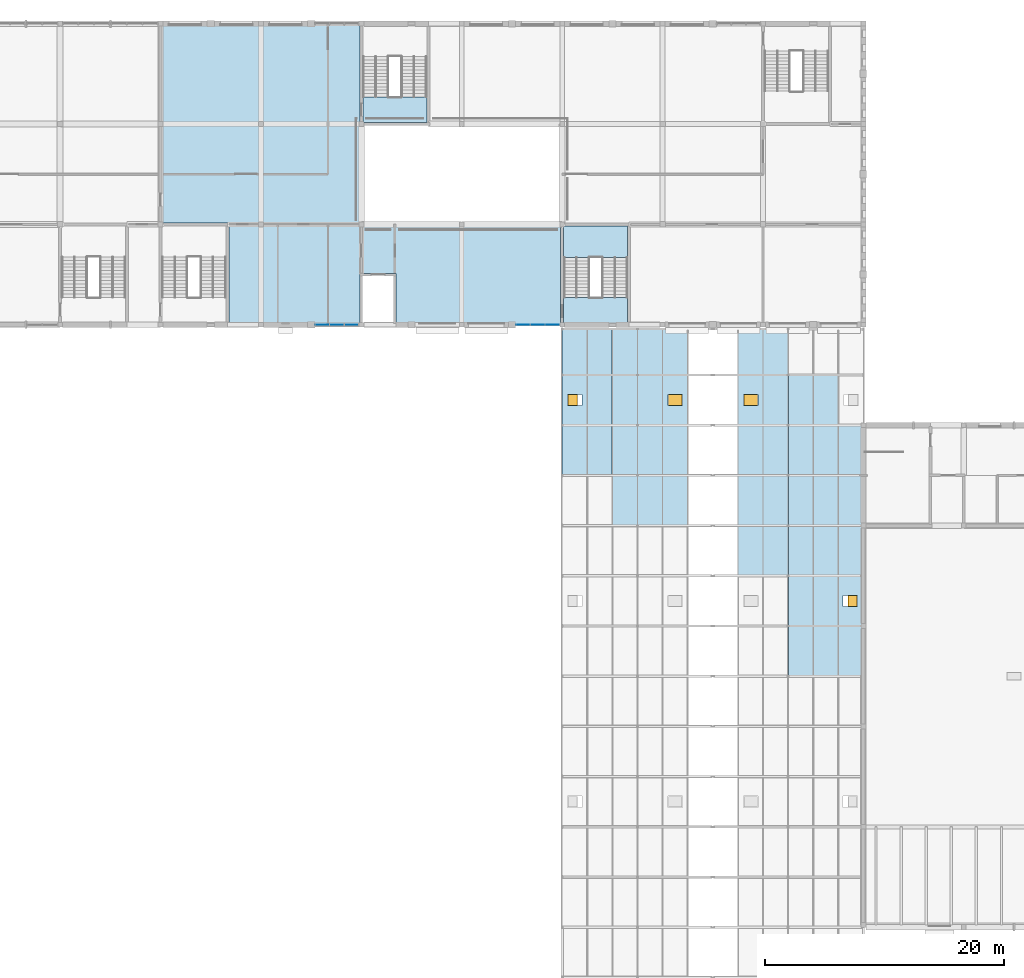
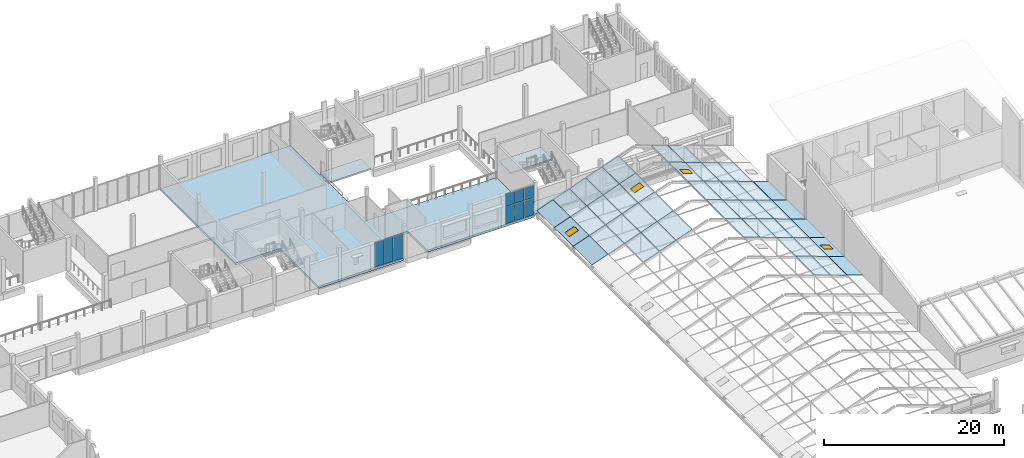
# One storey, part 88 of 116: 49 slabs, 9 plates, 4 windows, 4 openings, 4 elements without a shape of their own.
"""IFC4 building model written with IfcOpenShell, lengths in metres."""

from ifc_helpers import new_model, si_unit, direction, frame, origin, origin_2d, place, context, subcontext, project, spatial, polyline, rectangle, outline, extrude, material, layer, layer_set, type_object, element, fill, aggregate, save


model = new_model("IFC4")

# Units and contexts
model_context = context("Model", 3, precision=1e-05, world=origin(), true_north=direction((0.0, 1.0)))
body_context = subcontext(model_context, "Body", "Model", "MODEL_VIEW")
ifc_project = project(units=[si_unit("LENGTHUNIT", "METRE"), si_unit("AREAUNIT", "SQUARE_METRE"), si_unit("VOLUMEUNIT", "CUBIC_METRE"), si_unit("PLANEANGLEUNIT", "RADIAN"), si_unit("MASSUNIT", "GRAM", prefix="KILO")], contexts=[model_context])

# Site, building, storey
site_placement = place(None, origin())
site = spatial("IfcSite", under=ifc_project, at=site_placement, CompositionType="ELEMENT")
building_placement = place(site_placement, origin())
building = spatial("IfcBuilding", under=site, at=building_placement, Name="Fescue Hill Polytechnic", CompositionType="ELEMENT")
storey_placement = place(building_placement, frame((0.0, 0.0, 13.5)))
storey = spatial("IfcBuildingStorey", under=building, at=storey_placement, Name="L03", CompositionType="ELEMENT", Elevation=13.5)

# Slab
ifc_material_1 = material(Name="Concrete 35 MPa", Category="concrete")
ifc_layer_1 = layer(ifc_material_1, 0.300048828125)
ifc_layer_set_1 = layer_set([ifc_layer_1], Name="Concrete 35 MPa")
slab_type_1 = type_object("IfcSlabType", Name="Floor slab 300", PredefinedType="FLOOR", material=ifc_layer_set_1)
slab_1_placement = place(storey_placement, frame((0.0, 0.0, -0.300048828125)))
element("IfcSlab", 1, at=slab_1_placement, inside=storey, type_object=slab_type_1, Name="SL-L03-V4b-2", PredefinedType="FLOOR", context=body_context, shape_type="SweptSolid", body=[
    extrude(outline(polyline([(58.800048828125, 134.39990234375), (75.47509765625, 134.39990234375), (75.47509765625, 125.875), (75.60009765625, 125.875), (75.60009765625, 117.60009765625), (92.27490234375, 117.60009765625), (92.27490234375, 109.199951171875), (78.5, 109.199951171875), (78.5, 113.5), (75.5, 113.5), (75.5, 109.199951171875), (64.52490234375, 109.199951171875), (64.52490234375, 117.72509765625), (58.800048828125, 117.72509765625), (58.800048828125, 134.39990234375)])), origin(), (0.0, 0.0, 1.0), 0.300048828125),
])

# Curtain wall, plates
ifc_material_2 = material(Name="Glass", Category="glass")
curtain_wall_type = type_object("IfcCurtainWallType", Name="Curtain wall structural glazing", PredefinedType="NOTDEFINED", material=ifc_material_2)
curtain_wall_1_placement = place(storey_placement, origin())
curtain_wall_1 = element("IfcCurtainWall", 2, at=curtain_wall_1_placement, inside=storey, type_object=curtain_wall_type, Name="CW-L03-V4b-X2", PredefinedType="NOTDEFINED")
ifc_layer_2 = layer(ifc_material_2, 0.028076171875)
ifc_layer_set_2 = layer_set([ifc_layer_2], Name="Glass")
plate_type = type_object("IfcPlateType", Name="Panel glazing 28", PredefinedType="CURTAIN_PANEL", material=ifc_layer_set_2)
plate_1_placement = place(storey_placement, frame((89.131591796875, 109.199951171875, 0.06005859375), z_axis=(0.0, 0.0, 1.0), x_axis=(1.0, 0.0, 0.0)))
plate_1 = element("IfcPlate", 3, at=plate_1_placement, type_object=plate_type, Name="CW171 panel 1.1", PredefinedType="CURTAIN_PANEL", context=body_context, shape_type="SweptSolid", body=[
    extrude(rectangle(XDim=1.143310546875, YDim=0.028076171875, at=origin_2d()), origin(), (0.0, 0.0, 1.0), 2.31005859375),
])
plate_2_placement = place(storey_placement, frame((89.131591796875, 109.199951171875, 2.429931640625), z_axis=(0.0, 0.0, 1.0), x_axis=(1.0, 0.0, 0.0)))
plate_2 = element("IfcPlate", 4, at=plate_2_placement, type_object=plate_type, Name="CW171 panel 1.2", PredefinedType="CURTAIN_PANEL", context=body_context, shape_type="SweptSolid", body=[
    extrude(rectangle(XDim=1.143310546875, YDim=0.028076171875, at=origin_2d()), origin(), (0.0, 0.0, 1.0), 1.68994140625),
])
plate_3_placement = place(storey_placement, frame((90.35009765625, 109.199951171875, 0.06005859375), z_axis=(0.0, 0.0, 1.0), x_axis=(1.0, 0.0, 0.0)))
plate_3 = element("IfcPlate", 5, at=plate_3_placement, type_object=plate_type, Name="CW171 panel 2.1", PredefinedType="CURTAIN_PANEL", context=body_context, shape_type="SweptSolid", body=[
    extrude(rectangle(XDim=1.17333984375, YDim=0.028076171875, at=origin_2d()), origin(), (0.0, 0.0, 1.0), 2.31005859375),
])
plate_4_placement = place(storey_placement, frame((90.35009765625, 109.199951171875, 2.429931640625), z_axis=(0.0, 0.0, 1.0), x_axis=(1.0, 0.0, 0.0)))
plate_4 = element("IfcPlate", 6, at=plate_4_placement, type_object=plate_type, Name="CW171 panel 2.2", PredefinedType="CURTAIN_PANEL", context=body_context, shape_type="SweptSolid", body=[
    extrude(rectangle(XDim=1.17333984375, YDim=0.028076171875, at=origin_2d()), origin(), (0.0, 0.0, 1.0), 1.68994140625),
])
plate_5_placement = place(storey_placement, frame((91.568359375, 109.199951171875, 0.06005859375), z_axis=(0.0, 0.0, 1.0), x_axis=(1.0, 0.0, 0.0)))
plate_5 = element("IfcPlate", 7, at=plate_5_placement, type_object=plate_type, Name="CW171 panel 3.1", PredefinedType="CURTAIN_PANEL", context=body_context, shape_type="SweptSolid", body=[
    extrude(rectangle(XDim=1.143310546875, YDim=0.028076171875, at=origin_2d()), origin(), (0.0, 0.0, 1.0), 2.31005859375),
])
plate_6_placement = place(storey_placement, frame((91.568359375, 109.199951171875, 2.429931640625), z_axis=(0.0, 0.0, 1.0), x_axis=(1.0, 0.0, 0.0)))
plate_6 = element("IfcPlate", 8, at=plate_6_placement, type_object=plate_type, Name="CW171 panel 3.2", PredefinedType="CURTAIN_PANEL", context=body_context, shape_type="SweptSolid", body=[
    extrude(rectangle(XDim=1.143310546875, YDim=0.028076171875, at=origin_2d()), origin(), (0.0, 0.0, 1.0), 1.68994140625),
])
aggregate(curtain_wall_1, [plate_1, plate_2, plate_3, plate_4, plate_5, plate_6])

curtain_wall_2_placement = place(storey_placement, origin())
curtain_wall_2 = element("IfcCurtainWall", 9, at=curtain_wall_2_placement, inside=storey, type_object=curtain_wall_type, Name="CW-L03-V4b-X4", PredefinedType="NOTDEFINED")
plate_7_placement = place(storey_placement, frame((72.331787109375, 109.199951171875, 0.06005859375), z_axis=(0.0, 0.0, 1.0), x_axis=(1.0, 0.0, 0.0)))
plate_7 = element("IfcPlate", 10, at=plate_7_placement, type_object=plate_type, Name="CW177 panel 1.1", PredefinedType="CURTAIN_PANEL", context=body_context, shape_type="SweptSolid", body=[
    extrude(rectangle(XDim=1.143310546875, YDim=0.028076171875, at=origin_2d()), origin(), (0.0, 0.0, 1.0), 3.31005859375),
])
plate_8_placement = place(storey_placement, frame((73.550048828125, 109.199951171875, 0.06005859375), z_axis=(0.0, 0.0, 1.0), x_axis=(1.0, 0.0, 0.0)))
plate_8 = element("IfcPlate", 11, at=plate_8_placement, type_object=plate_type, Name="CW177 panel 2.1", PredefinedType="CURTAIN_PANEL", context=body_context, shape_type="SweptSolid", body=[
    extrude(rectangle(XDim=1.17333984375, YDim=0.028076171875, at=origin_2d()), origin(), (0.0, 0.0, 1.0), 3.31005859375),
])
plate_9_placement = place(storey_placement, frame((74.768310546875, 109.199951171875, 0.06005859375), z_axis=(0.0, 0.0, 1.0), x_axis=(1.0, 0.0, 0.0)))
plate_9 = element("IfcPlate", 12, at=plate_9_placement, type_object=plate_type, Name="CW177 panel 3.1", PredefinedType="CURTAIN_PANEL", context=body_context, shape_type="SweptSolid", body=[
    extrude(rectangle(XDim=1.143310546875, YDim=0.028076171875, at=origin_2d()), origin(), (0.0, 0.0, 1.0), 3.31005859375),
])
aggregate(curtain_wall_2, [plate_7, plate_8, plate_9])

# Stair, slabs
stair_type = type_object("IfcStairType", Name="Half-turn stair 2150 flights", PredefinedType="HALF_TURN_STAIR", material=ifc_material_1)
stair_1_placement = place(storey_placement, origin())
stair_1 = element("IfcStair", 13, at=stair_1_placement, inside=storey, type_object=stair_type, Name="L03 ST-V4b-3 stair", PredefinedType="HALF_TURN_STAIR")
ifc_layer_3 = layer(ifc_material_1, 0.199951171875)
ifc_layer_set_3 = layer_set([ifc_layer_3], Name="Concrete 35 MPa")
slab_type_2 = type_object("IfcSlabType", Name="Stair landing slab 200", PredefinedType="LANDING", material=ifc_layer_set_3)
slab_2_placement = place(storey_placement, frame((0.0, 0.0, 2.050048828125)))
slab_2 = element("IfcSlab", 14, at=slab_2_placement, type_object=slab_type_2, Name="S24 landing 1", PredefinedType="LANDING", context=body_context, shape_type="SweptSolid", body=[
    extrude(outline(polyline([(92.52490234375, 114.8349609375), (97.875, 114.8349609375), (97.875, 117.47509765625), (92.52490234375, 117.47509765625), (92.52490234375, 114.8349609375)])), origin(), (0.0, 0.0, 1.0), 0.199951171875),
])
slab_3_placement = place(storey_placement, frame((0.0, 0.0, -0.199951171875)))
slab_3 = element("IfcSlab", 15, at=slab_3_placement, type_object=slab_type_2, Name="S24 landing 2", PredefinedType="LANDING", context=body_context, shape_type="SweptSolid", body=[
    extrude(outline(polyline([(92.52490234375, 109.324951171875), (97.875, 109.324951171875), (97.875, 111.47509765625), (92.52490234375, 111.47509765625), (92.52490234375, 109.324951171875)])), origin(), (0.0, 0.0, 1.0), 0.199951171875),
])
aggregate(stair_1, [slab_2, slab_3])

# Stair, slab
stair_2_placement = place(storey_placement, origin())
stair_2 = element("IfcStair", 16, at=stair_2_placement, inside=storey, type_object=stair_type, Name="L03 ST-V4b-4 stair", PredefinedType="HALF_TURN_STAIR")
slab_4_placement = place(storey_placement, frame((0.0, 0.0, -0.199951171875)))
slab_4 = element("IfcSlab", 17, at=slab_4_placement, type_object=slab_type_2, Name="S25 landing 2", PredefinedType="LANDING", context=body_context, shape_type="SweptSolid", body=[
    extrude(outline(polyline([(75.72509765625, 126.125), (81.074951171875, 126.125), (81.074951171875, 128.27490234375), (75.72509765625, 128.27490234375), (75.72509765625, 126.125)])), origin(), (0.0, 0.0, 1.0), 0.199951171875),
])
aggregate(stair_2, [slab_4])

# Slabs
ifc_layer_4 = layer(ifc_material_2, 0.030029296875)
ifc_layer_set_4 = layer_set([ifc_layer_4], Name="Glass")
slab_type_3 = type_object("IfcSlabType", Name="Winter garden roof glazing 30", PredefinedType="ROOF", material=ifc_layer_set_4)
slab_5_placement = place(storey_placement, frame((96.599853515625, 92.39990234375, 2.2724609375), z_axis=(-0.336329413726, 0.0, 0.941744405591), x_axis=(0.0, 1.0, 0.0)))
element("IfcSlab", 18, at=slab_5_placement, inside=storey, type_object=slab_type_3, Name="Winter garden roof glazing", PredefinedType="ROOF", context=body_context, shape_type="SweptSolid", body=[
    extrude(outline(polyline([(0.0, 0.0), (4.2001953125, 0.0), (4.2001953125, -2.2147127681263363), (0.0, -2.2147127681263363), (0.0, 0.0)])), origin(), (0.0, 0.0, -1.0), 0.030029296875),
])
for number, where, z_axis, x_axis, name in (
    (19, (98.69970703125, 92.39990234375, 3.0224609375), (-0.336294501436, 0.0, 0.941756873245), (0.0, 1.0, 0.0), "Winter garden roof glazing"),
    (20, (100.799560546875, 92.39990234375, 3.7724609375), (-0.336294501436, 0.0, 0.941756873245), (0.0, 1.0, 0.0), "Winter garden roof glazing"),
):
    element("IfcSlab", number, at=place(storey_placement, frame(where, z_axis=z_axis, x_axis=x_axis)), inside=storey, type_object=slab_type_3, Name=name, PredefinedType="ROOF", context=body_context, shape_type="SweptSolid", body=[
        extrude(outline(polyline([(0.0, 0.0), (4.2001953125, 0.0), (4.2001953125, -2.214942687716117), (0.0, -2.214942687716117), (0.0, 0.0)])), origin(), (0.0, 0.0, -1.0), 0.030029296875),
    ])
slab_6_placement = place(storey_placement, frame((92.39990234375, 96.60009765625, 0.7724609375), z_axis=(-0.336294501436, 0.0, 0.941756873245), x_axis=(0.0, 1.0, 0.0)))
element("IfcSlab", 21, at=slab_6_placement, inside=storey, type_object=slab_type_3, Name="Winter garden roof glazing", PredefinedType="ROOF", context=body_context, shape_type="SweptSolid", body=[
    extrude(outline(polyline([(0.0, 0.0), (4.199951171875, 0.0), (4.199951171875, -2.214942687716117), (0.0, -2.214942687716117), (0.0, 0.0)])), origin(), (0.0, 0.0, -1.0), 0.030029296875),
])
for number, where, z_axis, x_axis, name in (
    (22, (94.5, 96.60009765625, 1.5224609375), (-0.336329413726, 0.0, 0.941744405591), (0.0, 1.0, 0.0), "Winter garden roof glazing"),
    (23, (96.599853515625, 96.60009765625, 2.2724609375), (-0.336329413726, 0.0, 0.941744405591), (0.0, 1.0, 0.0), "Winter garden roof glazing"),
):
    element("IfcSlab", number, at=place(storey_placement, frame(where, z_axis=z_axis, x_axis=x_axis)), inside=storey, type_object=slab_type_3, Name=name, PredefinedType="ROOF", context=body_context, shape_type="SweptSolid", body=[
        extrude(outline(polyline([(0.0, 0.0), (4.199951171875, 0.0), (4.199951171875, -2.2147127681263368), (0.0, -2.2147127681263368), (0.0, 0.0)])), origin(), (0.0, 0.0, -1.0), 0.030029296875),
    ])
for number, where, z_axis, x_axis, name in (
    (24, (98.69970703125, 96.60009765625, 3.0224609375), (-0.336294501436, 0.0, 0.941756873245), (0.0, 1.0, 0.0), "Winter garden roof glazing"),
    (25, (100.799560546875, 96.60009765625, 3.7724609375), (-0.336294501436, 0.0, 0.941756873245), (0.0, 1.0, 0.0), "Winter garden roof glazing"),
):
    element("IfcSlab", number, at=place(storey_placement, frame(where, z_axis=z_axis, x_axis=x_axis)), inside=storey, type_object=slab_type_3, Name=name, PredefinedType="ROOF", context=body_context, shape_type="SweptSolid", body=[
        extrude(outline(polyline([(0.0, 0.0), (4.199951171875, 0.0), (4.199951171875, -2.214942687716117), (0.0, -2.214942687716117), (0.0, 0.0)])), origin(), (0.0, 0.0, -1.0), 0.030029296875),
    ])

# Slab, opening, window
slab_7_placement = place(storey_placement, frame((92.39990234375, 100.800048828125, 0.7724609375), z_axis=(-0.336294501436, 0.0, 0.941756873245), x_axis=(0.0, 1.0, 0.0)))
slab_7 = element("IfcSlab", 26, at=slab_7_placement, inside=storey, type_object=slab_type_3, Name="Winter garden roof glazing", PredefinedType="ROOF", context=body_context, shape_type="SweptSolid", body=[
    extrude(outline(polyline([(0.0, 0.0), (4.199951171875, 0.0), (4.199951171875, -2.214942687716117), (0.0, -2.214942687716117), (0.0, 0.0)])), origin(), (0.0, 0.0, -1.0), 0.030029296875),
])
opening_1_placement = place(storey_placement, frame((93.449951171875, 102.89990234375, 0.80126953125)))
opening_1 = element("IfcOpeningElement", 27, at=opening_1_placement, cuts=slab_7, Name="Opening WH5", PredefinedType="OPENING", context=body_context, shape_type="SweptSolid", body=[
    extrude(rectangle(XDim=1.206787109375, YDim=0.93994140625, at=origin_2d()), origin(), (0.0, 0.0, 1.0), 0.660400390625),
])
ifc_material_3 = material(Name="Powder-coated aluminium and glass", Category="aluminium")
window_type = type_object("IfcWindowType", Name="Opening vent 900x1200", PartitioningType="SINGLE_PANEL", PredefinedType="SKYLIGHT", material=ifc_material_3)
window_1_placement = place(storey_placement, frame((93.449951171875, 102.89990234375, 1.1474609375), z_axis=(-0.336294501436, 0.0, 0.941756873245), x_axis=(0.0, 1.0, 0.0)))
window_1 = element("IfcWindow", 28, at=window_1_placement, inside=storey, type_object=window_type, Name="RLT-L03-WG-GLW-13-1", OverallHeight=1.199951171875, OverallWidth=0.89990234375, PartitioningType="SINGLE_PANEL", PredefinedType="SKYLIGHT", context=body_context, shape_type="SweptSolid", body=[
    extrude(rectangle(XDim=0.89990234375, YDim=1.199951171875, at=origin_2d()), origin(), (0.0, 0.0, -1.0), 0.030029296875),
])
fill(opening_1, window_1)

# Slabs
for number, where, z_axis, x_axis, name in (
    (29, (94.5, 100.800048828125, 1.5224609375), (-0.336329413726, 0.0, 0.941744405591), (0.0, 1.0, 0.0), "Winter garden roof glazing"),
    (30, (96.599853515625, 100.800048828125, 2.2724609375), (-0.336329413726, 0.0, 0.941744405591), (0.0, 1.0, 0.0), "Winter garden roof glazing"),
):
    element("IfcSlab", number, at=place(storey_placement, frame(where, z_axis=z_axis, x_axis=x_axis)), inside=storey, type_object=slab_type_3, Name=name, PredefinedType="ROOF", context=body_context, shape_type="SweptSolid", body=[
        extrude(outline(polyline([(0.0, 0.0), (4.199951171875, 0.0), (4.199951171875, -2.2147127681263368), (0.0, -2.2147127681263368), (0.0, 0.0)])), origin(), (0.0, 0.0, -1.0), 0.030029296875),
    ])
slab_8_placement = place(storey_placement, frame((98.69970703125, 100.800048828125, 3.0224609375), z_axis=(-0.336294501436, 0.0, 0.941756873245), x_axis=(0.0, 1.0, 0.0)))
element("IfcSlab", 31, at=slab_8_placement, inside=storey, type_object=slab_type_3, Name="Winter garden roof glazing", PredefinedType="ROOF", context=body_context, shape_type="SweptSolid", body=[
    extrude(outline(polyline([(0.0, 0.0), (4.199951171875, 0.0), (4.199951171875, -2.214942687716117), (0.0, -2.214942687716117), (0.0, 0.0)])), origin(), (0.0, 0.0, -1.0), 0.030029296875),
])

# Slab, opening, window
slab_9_placement = place(storey_placement, frame((100.799560546875, 100.800048828125, 3.7724609375), z_axis=(-0.336294501436, 0.0, 0.941756873245), x_axis=(0.0, 1.0, 0.0)))
slab_9 = element("IfcSlab", 32, at=slab_9_placement, inside=storey, type_object=slab_type_3, Name="Winter garden roof glazing", PredefinedType="ROOF", context=body_context, shape_type="SweptSolid", body=[
    extrude(outline(polyline([(0.0, 0.0), (4.199951171875, 0.0), (4.199951171875, -2.214942687716117), (0.0, -2.214942687716117), (0.0, 0.0)])), origin(), (0.0, 0.0, -1.0), 0.030029296875),
])
opening_2_placement = place(storey_placement, frame((101.85009765625, 102.89990234375, 3.801513671875)))
opening_2 = element("IfcOpeningElement", 33, at=opening_2_placement, cuts=slab_9, Name="Opening WH5", PredefinedType="OPENING", context=body_context, shape_type="SweptSolid", body=[
    extrude(rectangle(XDim=1.206787109375, YDim=0.93994140625, at=origin_2d()), origin(), (0.0, 0.0, 1.0), 0.660400390625),
])
window_2_placement = place(storey_placement, frame((101.85009765625, 102.89990234375, 4.147705078125), z_axis=(-0.336294501436, 0.0, 0.941756873245), x_axis=(0.0, 1.0, 0.0)))
window_2 = element("IfcWindow", 34, at=window_2_placement, inside=storey, type_object=window_type, Name="RLT-L03-WG-GLW-13-5", OverallHeight=1.199951171875, OverallWidth=0.89990234375, PartitioningType="SINGLE_PANEL", PredefinedType="SKYLIGHT", context=body_context, shape_type="SweptSolid", body=[
    extrude(rectangle(XDim=0.89990234375, YDim=1.199951171875, at=origin_2d()), origin(), (0.0, 0.0, -1.0), 0.030029296875),
])
fill(opening_2, window_2)

# Slabs
slab_10_placement = place(storey_placement, frame((92.39990234375, 105.0, 0.7724609375), z_axis=(-0.336294501436, 0.0, 0.941756873245), x_axis=(0.0, 1.0, 0.0)))
element("IfcSlab", 35, at=slab_10_placement, inside=storey, type_object=slab_type_3, Name="Winter garden roof glazing", PredefinedType="ROOF", context=body_context, shape_type="SweptSolid", body=[
    extrude(outline(polyline([(0.0, 0.0), (3.85009765625, 0.0), (3.85009765625, -2.214942687716117), (0.0, -2.214942687716117), (0.0, 0.0)])), origin(), (0.0, 0.0, -1.0), 0.030029296875),
])
for number, where, z_axis, x_axis, name in (
    (36, (94.5, 105.0, 1.5224609375), (-0.336329413726, 0.0, 0.941744405591), (0.0, 1.0, 0.0), "Winter garden roof glazing"),
    (37, (96.599853515625, 105.0, 2.2724609375), (-0.336329413726, 0.0, 0.941744405591), (0.0, 1.0, 0.0), "Winter garden roof glazing"),
):
    element("IfcSlab", number, at=place(storey_placement, frame(where, z_axis=z_axis, x_axis=x_axis)), inside=storey, type_object=slab_type_3, Name=name, PredefinedType="ROOF", context=body_context, shape_type="SweptSolid", body=[
        extrude(outline(polyline([(0.0, 0.0), (3.85009765625, 0.0), (3.85009765625, -2.2147127681263363), (0.0, -2.2147127681263363), (0.0, 0.0)])), origin(), (0.0, 0.0, -1.0), 0.030029296875),
    ])
for number, where, z_axis, x_axis, name in (
    (38, (98.69970703125, 105.0, 3.0224609375), (-0.336294501436, 0.0, 0.941756873245), (0.0, 1.0, 0.0), "Winter garden roof glazing"),
    (39, (100.799560546875, 105.0, 3.7724609375), (-0.336294501436, 0.0, 0.941756873245), (0.0, 1.0, 0.0), "Winter garden roof glazing"),
):
    element("IfcSlab", number, at=place(storey_placement, frame(where, z_axis=z_axis, x_axis=x_axis)), inside=storey, type_object=slab_type_3, Name=name, PredefinedType="ROOF", context=body_context, shape_type="SweptSolid", body=[
        extrude(outline(polyline([(0.0, 0.0), (3.85009765625, 0.0), (3.85009765625, -2.214942687716117), (0.0, -2.214942687716117), (0.0, 0.0)])), origin(), (0.0, 0.0, -1.0), 0.030029296875),
    ])
slab_11_placement = place(storey_placement, frame((117.60009765625, 79.800048828125, 0.7724609375), z_axis=(0.336294501436, 0.0, 0.941756873245), x_axis=(0.0, 1.0, 0.0)))
element("IfcSlab", 40, at=slab_11_placement, inside=storey, type_object=slab_type_3, Name="Winter garden roof glazing", PredefinedType="ROOF", context=body_context, shape_type="SweptSolid", body=[
    extrude(outline(polyline([(0.0, 0.0), (4.199951171875, 0.0), (4.199951171875, 2.214942687716117), (0.0, 2.214942687716117), (0.0, 0.0)])), origin(), (0.0, 0.0, -1.0), 0.030029296875),
])
for number, where, z_axis, x_axis, name in (
    (41, (115.5, 79.800048828125, 1.5224609375), (0.336329413726, 0.0, 0.941744405591), (0.0, 1.0, 0.0), "Winter garden roof glazing"),
    (42, (113.400146484375, 79.800048828125, 2.2724609375), (0.336329413726, 0.0, 0.941744405591), (0.0, 1.0, 0.0), "Winter garden roof glazing"),
):
    element("IfcSlab", number, at=place(storey_placement, frame(where, z_axis=z_axis, x_axis=x_axis)), inside=storey, type_object=slab_type_3, Name=name, PredefinedType="ROOF", context=body_context, shape_type="SweptSolid", body=[
        extrude(outline(polyline([(0.0, 0.0), (4.199951171875, 0.0), (4.199951171875, 2.2147127681263368), (0.0, 2.2147127681263368), (0.0, 0.0)])), origin(), (0.0, 0.0, -1.0), 0.030029296875),
    ])

# Slab, opening, window
slab_12_placement = place(storey_placement, frame((117.60009765625, 84.0, 0.7724609375), z_axis=(0.336294501436, 0.0, 0.941756873245), x_axis=(0.0, 1.0, 0.0)))
slab_12 = element("IfcSlab", 43, at=slab_12_placement, inside=storey, type_object=slab_type_3, Name="Winter garden roof glazing", PredefinedType="ROOF", context=body_context, shape_type="SweptSolid", body=[
    extrude(outline(polyline([(0.0, 0.0), (4.199951171875, 0.0), (4.199951171875, 2.214942687716117), (0.0, 2.214942687716117), (0.0, 0.0)])), origin(), (0.0, 0.0, -1.0), 0.030029296875),
])
opening_3_placement = place(storey_placement, frame((116.513916015625, 86.10009765625, 0.814208984375)))
opening_3 = element("IfcOpeningElement", 44, at=opening_3_placement, cuts=slab_12, Name="Opening WH5", PredefinedType="OPENING", context=body_context, shape_type="SweptSolid", body=[
    extrude(rectangle(XDim=1.206787109375, YDim=0.93994140625, at=origin_2d()), origin(), (0.0, 0.0, 1.0), 0.660400390625),
])
window_3_placement = place(storey_placement, frame((116.513916015625, 86.10009765625, 1.160400390625), z_axis=(0.336294501436, 0.0, 0.941756873245), x_axis=(0.0, 1.0, 0.0)))
window_3 = element("IfcWindow", 45, at=window_3_placement, inside=storey, type_object=window_type, Name="RLT-L03-WG-GLE-09-1", OverallHeight=1.199951171875, OverallWidth=0.89990234375, PartitioningType="SINGLE_PANEL", PredefinedType="SKYLIGHT", context=body_context, shape_type="SweptSolid", body=[
    extrude(rectangle(XDim=0.89990234375, YDim=1.199951171875, at=origin_2d()), origin(), (0.0, 0.0, -1.0), 0.030029296875),
])
fill(opening_3, window_3)

# Slabs
for number, where, z_axis, x_axis, name in (
    (46, (115.5, 84.0, 1.5224609375), (0.336329413726, 0.0, 0.941744405591), (0.0, 1.0, 0.0), "Winter garden roof glazing"),
    (47, (113.400146484375, 84.0, 2.2724609375), (0.336329413726, 0.0, 0.941744405591), (0.0, 1.0, 0.0), "Winter garden roof glazing"),
):
    element("IfcSlab", number, at=place(storey_placement, frame(where, z_axis=z_axis, x_axis=x_axis)), inside=storey, type_object=slab_type_3, Name=name, PredefinedType="ROOF", context=body_context, shape_type="SweptSolid", body=[
        extrude(outline(polyline([(0.0, 0.0), (4.199951171875, 0.0), (4.199951171875, 2.2147127681263368), (0.0, 2.2147127681263368), (0.0, 0.0)])), origin(), (0.0, 0.0, -1.0), 0.030029296875),
    ])
slab_13_placement = place(storey_placement, frame((117.60009765625, 88.199951171875, 0.7724609375), z_axis=(0.336294501436, 0.0, 0.941756873245), x_axis=(0.0, 1.0, 0.0)))
element("IfcSlab", 48, at=slab_13_placement, inside=storey, type_object=slab_type_3, Name="Winter garden roof glazing", PredefinedType="ROOF", context=body_context, shape_type="SweptSolid", body=[
    extrude(outline(polyline([(0.0, 0.0), (4.199951171875, 0.0), (4.199951171875, 2.214942687716117), (0.0, 2.214942687716117), (0.0, 0.0)])), origin(), (0.0, 0.0, -1.0), 0.030029296875),
])
for number, where, z_axis, x_axis, name in (
    (49, (115.5, 88.199951171875, 1.5224609375), (0.336329413726, 0.0, 0.941744405591), (0.0, 1.0, 0.0), "Winter garden roof glazing"),
    (50, (113.400146484375, 88.199951171875, 2.2724609375), (0.336329413726, 0.0, 0.941744405591), (0.0, 1.0, 0.0), "Winter garden roof glazing"),
):
    element("IfcSlab", number, at=place(storey_placement, frame(where, z_axis=z_axis, x_axis=x_axis)), inside=storey, type_object=slab_type_3, Name=name, PredefinedType="ROOF", context=body_context, shape_type="SweptSolid", body=[
        extrude(outline(polyline([(0.0, 0.0), (4.199951171875, 0.0), (4.199951171875, 2.2147127681263368), (0.0, 2.2147127681263368), (0.0, 0.0)])), origin(), (0.0, 0.0, -1.0), 0.030029296875),
    ])
for number, where, z_axis, x_axis, name in (
    (51, (111.30029296875, 88.199951171875, 3.0224609375), (0.336294501436, 0.0, 0.941756873245), (0.0, 1.0, 0.0), "Winter garden roof glazing"),
    (52, (109.200439453125, 88.199951171875, 3.7724609375), (0.336294501436, 0.0, 0.941756873245), (0.0, 1.0, 0.0), "Winter garden roof glazing"),
):
    element("IfcSlab", number, at=place(storey_placement, frame(where, z_axis=z_axis, x_axis=x_axis)), inside=storey, type_object=slab_type_3, Name=name, PredefinedType="ROOF", context=body_context, shape_type="SweptSolid", body=[
        extrude(outline(polyline([(0.0, 0.0), (4.199951171875, 0.0), (4.199951171875, 2.214942687716117), (0.0, 2.214942687716117), (0.0, 0.0)])), origin(), (0.0, 0.0, -1.0), 0.030029296875),
    ])
slab_14_placement = place(storey_placement, frame((117.60009765625, 92.39990234375, 0.7724609375), z_axis=(0.336294501436, 0.0, 0.941756873245), x_axis=(0.0, 1.0, 0.0)))
element("IfcSlab", 53, at=slab_14_placement, inside=storey, type_object=slab_type_3, Name="Winter garden roof glazing", PredefinedType="ROOF", context=body_context, shape_type="SweptSolid", body=[
    extrude(outline(polyline([(0.0, 0.0), (4.2001953125, 0.0), (4.2001953125, 2.214942687716117), (0.0, 2.214942687716117), (0.0, 0.0)])), origin(), (0.0, 0.0, -1.0), 0.030029296875),
])
for number, where, z_axis, x_axis, name in (
    (54, (115.5, 92.39990234375, 1.5224609375), (0.336329413726, 0.0, 0.941744405591), (0.0, 1.0, 0.0), "Winter garden roof glazing"),
    (55, (113.400146484375, 92.39990234375, 2.2724609375), (0.336329413726, 0.0, 0.941744405591), (0.0, 1.0, 0.0), "Winter garden roof glazing"),
):
    element("IfcSlab", number, at=place(storey_placement, frame(where, z_axis=z_axis, x_axis=x_axis)), inside=storey, type_object=slab_type_3, Name=name, PredefinedType="ROOF", context=body_context, shape_type="SweptSolid", body=[
        extrude(outline(polyline([(0.0, 0.0), (4.2001953125, 0.0), (4.2001953125, 2.2147127681263363), (0.0, 2.2147127681263363), (0.0, 0.0)])), origin(), (0.0, 0.0, -1.0), 0.030029296875),
    ])
for number, where, z_axis, x_axis, name in (
    (56, (111.30029296875, 92.39990234375, 3.0224609375), (0.336294501436, 0.0, 0.941756873245), (0.0, 1.0, 0.0), "Winter garden roof glazing"),
    (57, (109.200439453125, 92.39990234375, 3.7724609375), (0.336294501436, 0.0, 0.941756873245), (0.0, 1.0, 0.0), "Winter garden roof glazing"),
):
    element("IfcSlab", number, at=place(storey_placement, frame(where, z_axis=z_axis, x_axis=x_axis)), inside=storey, type_object=slab_type_3, Name=name, PredefinedType="ROOF", context=body_context, shape_type="SweptSolid", body=[
        extrude(outline(polyline([(0.0, 0.0), (4.2001953125, 0.0), (4.2001953125, 2.214942687716117), (0.0, 2.214942687716117), (0.0, 0.0)])), origin(), (0.0, 0.0, -1.0), 0.030029296875),
    ])
slab_15_placement = place(storey_placement, frame((117.60009765625, 96.60009765625, 0.7724609375), z_axis=(0.336294501436, 0.0, 0.941756873245), x_axis=(0.0, 1.0, 0.0)))
element("IfcSlab", 58, at=slab_15_placement, inside=storey, type_object=slab_type_3, Name="Winter garden roof glazing", PredefinedType="ROOF", context=body_context, shape_type="SweptSolid", body=[
    extrude(outline(polyline([(0.0, 0.0), (4.199951171875, 0.0), (4.199951171875, 2.214942687716117), (0.0, 2.214942687716117), (0.0, 0.0)])), origin(), (0.0, 0.0, -1.0), 0.030029296875),
])
for number, where, z_axis, x_axis, name in (
    (59, (115.5, 96.60009765625, 1.5224609375), (0.336329413726, 0.0, 0.941744405591), (0.0, 1.0, 0.0), "Winter garden roof glazing"),
    (60, (113.400146484375, 96.60009765625, 2.2724609375), (0.336329413726, 0.0, 0.941744405591), (0.0, 1.0, 0.0), "Winter garden roof glazing"),
):
    element("IfcSlab", number, at=place(storey_placement, frame(where, z_axis=z_axis, x_axis=x_axis)), inside=storey, type_object=slab_type_3, Name=name, PredefinedType="ROOF", context=body_context, shape_type="SweptSolid", body=[
        extrude(outline(polyline([(0.0, 0.0), (4.199951171875, 0.0), (4.199951171875, 2.2147127681263368), (0.0, 2.2147127681263368), (0.0, 0.0)])), origin(), (0.0, 0.0, -1.0), 0.030029296875),
    ])
for number, where, z_axis, x_axis, name in (
    (61, (111.30029296875, 96.60009765625, 3.0224609375), (0.336294501436, 0.0, 0.941756873245), (0.0, 1.0, 0.0), "Winter garden roof glazing"),
    (62, (109.200439453125, 96.60009765625, 3.7724609375), (0.336294501436, 0.0, 0.941756873245), (0.0, 1.0, 0.0), "Winter garden roof glazing"),
):
    element("IfcSlab", number, at=place(storey_placement, frame(where, z_axis=z_axis, x_axis=x_axis)), inside=storey, type_object=slab_type_3, Name=name, PredefinedType="ROOF", context=body_context, shape_type="SweptSolid", body=[
        extrude(outline(polyline([(0.0, 0.0), (4.199951171875, 0.0), (4.199951171875, 2.214942687716117), (0.0, 2.214942687716117), (0.0, 0.0)])), origin(), (0.0, 0.0, -1.0), 0.030029296875),
    ])
for number, where, z_axis, x_axis, name in (
    (63, (115.5, 100.800048828125, 1.5224609375), (0.336329413726, 0.0, 0.941744405591), (0.0, 1.0, 0.0), "Winter garden roof glazing"),
    (64, (113.400146484375, 100.800048828125, 2.2724609375), (0.336329413726, 0.0, 0.941744405591), (0.0, 1.0, 0.0), "Winter garden roof glazing"),
):
    element("IfcSlab", number, at=place(storey_placement, frame(where, z_axis=z_axis, x_axis=x_axis)), inside=storey, type_object=slab_type_3, Name=name, PredefinedType="ROOF", context=body_context, shape_type="SweptSolid", body=[
        extrude(outline(polyline([(0.0, 0.0), (4.199951171875, 0.0), (4.199951171875, 2.2147127681263368), (0.0, 2.2147127681263368), (0.0, 0.0)])), origin(), (0.0, 0.0, -1.0), 0.030029296875),
    ])
slab_16_placement = place(storey_placement, frame((111.30029296875, 100.800048828125, 3.0224609375), z_axis=(0.336294501436, 0.0, 0.941756873245), x_axis=(0.0, 1.0, 0.0)))
element("IfcSlab", 65, at=slab_16_placement, inside=storey, type_object=slab_type_3, Name="Winter garden roof glazing", PredefinedType="ROOF", context=body_context, shape_type="SweptSolid", body=[
    extrude(outline(polyline([(0.0, 0.0), (4.199951171875, 0.0), (4.199951171875, 2.214942687716117), (0.0, 2.214942687716117), (0.0, 0.0)])), origin(), (0.0, 0.0, -1.0), 0.030029296875),
])

# Slab, opening, window
slab_17_placement = place(storey_placement, frame((109.200439453125, 100.800048828125, 3.7724609375), z_axis=(0.336294501436, 0.0, 0.941756873245), x_axis=(0.0, 1.0, 0.0)))
slab_17 = element("IfcSlab", 66, at=slab_17_placement, inside=storey, type_object=slab_type_3, Name="Winter garden roof glazing", PredefinedType="ROOF", context=body_context, shape_type="SweptSolid", body=[
    extrude(outline(polyline([(0.0, 0.0), (4.199951171875, 0.0), (4.199951171875, 2.214942687716117), (0.0, 2.214942687716117), (0.0, 0.0)])), origin(), (0.0, 0.0, -1.0), 0.030029296875),
])
opening_4_placement = place(storey_placement, frame((108.1650390625, 102.89990234375, 3.796142578125)))
opening_4 = element("IfcOpeningElement", 67, at=opening_4_placement, cuts=slab_17, Name="Opening WH5", PredefinedType="OPENING", context=body_context, shape_type="SweptSolid", body=[
    extrude(rectangle(XDim=1.206787109375, YDim=0.93994140625, at=origin_2d()), origin(), (0.0, 0.0, 1.0), 0.660400390625),
])
window_4_placement = place(storey_placement, frame((108.1650390625, 102.89990234375, 4.14208984375), z_axis=(0.336294501436, 0.0, 0.941756873245), x_axis=(0.0, 1.0, 0.0)))
window_4 = element("IfcWindow", 68, at=window_4_placement, inside=storey, type_object=window_type, Name="RLT-L03-WG-GLE-13-5", OverallHeight=1.199951171875, OverallWidth=0.89990234375, PartitioningType="SINGLE_PANEL", PredefinedType="SKYLIGHT", context=body_context, shape_type="SweptSolid", body=[
    extrude(rectangle(XDim=0.89990234375, YDim=1.199951171875, at=origin_2d()), origin(), (0.0, 0.0, -1.0), 0.030029296875),
])
fill(opening_4, window_4)

# Slabs
for number, where, z_axis, x_axis, name in (
    (69, (111.30029296875, 105.0, 3.0224609375), (0.336294501436, 0.0, 0.941756873245), (0.0, 1.0, 0.0), "Winter garden roof glazing"),
    (70, (109.200439453125, 105.0, 3.7724609375), (0.336294501436, 0.0, 0.941756873245), (0.0, 1.0, 0.0), "Winter garden roof glazing"),
):
    element("IfcSlab", number, at=place(storey_placement, frame(where, z_axis=z_axis, x_axis=x_axis)), inside=storey, type_object=slab_type_3, Name=name, PredefinedType="ROOF", context=body_context, shape_type="SweptSolid", body=[
        extrude(outline(polyline([(0.0, 0.0), (3.85009765625, 0.0), (3.85009765625, 2.214942687716117), (0.0, 2.214942687716117), (0.0, 0.0)])), origin(), (0.0, 0.0, -1.0), 0.030029296875),
    ])

save(model, "model.ifc")
